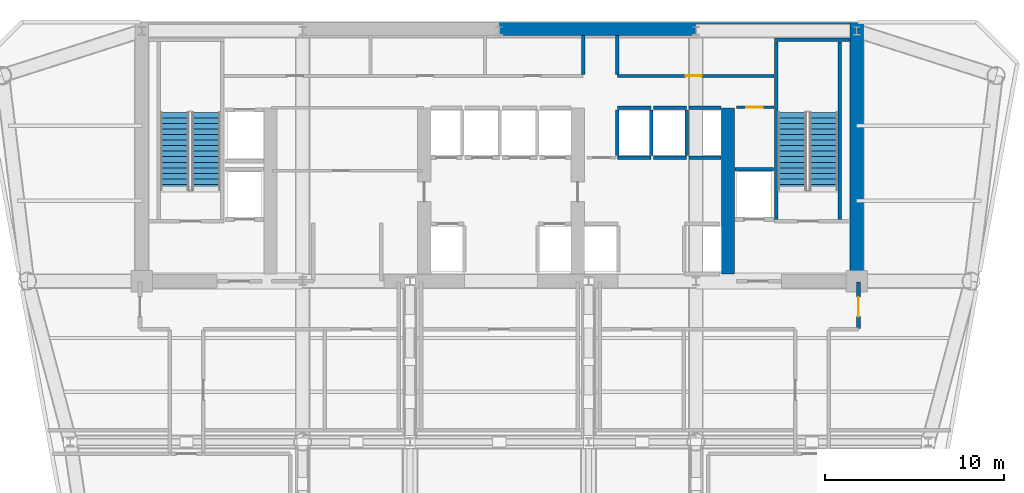
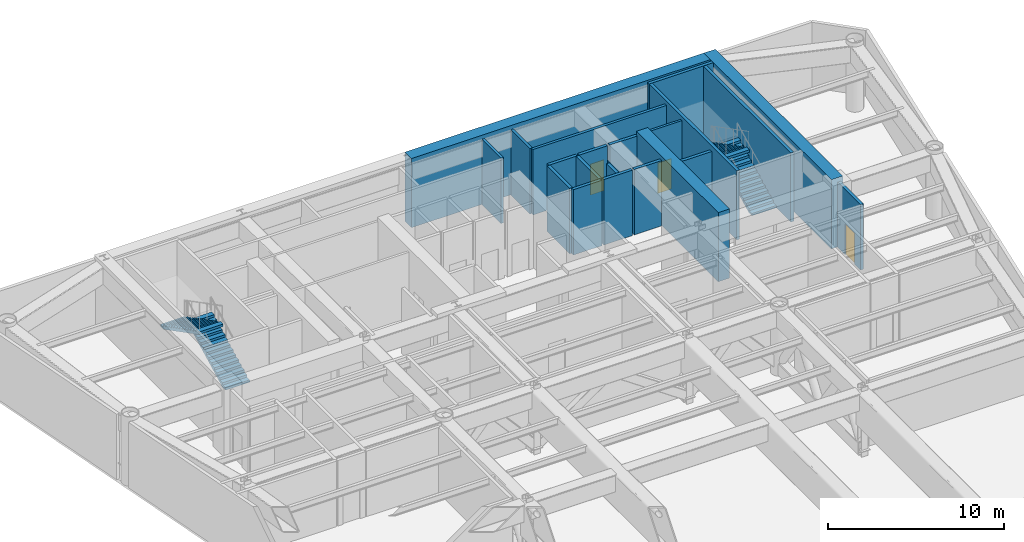
# One storey, part 6 of 10: 21 walls, 4 stair flights, 3 doors, 3 openings, 2 elements without a shape of their own.
"""IFC4 building model written with IfcOpenShell, lengths in metres."""

from ifc_helpers import new_model, si_unit, direction, frame, frame_2d, origin, place, context, subcontext, project, spatial, polyline, rectangle, outline, extrude, source, transform, mapped, material, layer, layer_set, type_object, element, fill, aggregate, save


model = new_model("IFC4")

# Units and contexts
model_context = context("Model", 3, precision=1e-05, world=origin(), true_north=direction((0.0, 1.0)))
body_context = subcontext(model_context, "Body", "Model", "MODEL_VIEW")
ifc_project = project(units=[si_unit("LENGTHUNIT", "METRE"), si_unit("AREAUNIT", "SQUARE_METRE"), si_unit("VOLUMEUNIT", "CUBIC_METRE"), si_unit("PLANEANGLEUNIT", "RADIAN"), si_unit("MASSUNIT", "GRAM", prefix="KILO")], contexts=[model_context])

# Site, building, storey
site_placement = place(None, origin())
site = spatial("IfcSite", under=ifc_project, at=site_placement, CompositionType="ELEMENT")
building_placement = place(site_placement, origin())
building = spatial("IfcBuilding", under=site, at=building_placement, Name="Vaeldorn Concourse Tower", CompositionType="ELEMENT")
storey_placement = place(building_placement, frame((0.0, 0.0, 149.0)))
storey = spatial("IfcBuildingStorey", under=building, at=storey_placement, Name="L38", CompositionType="ELEMENT", Elevation=149.0)

# Walls
ifc_material_1 = material(Name="Concrete C60/75", Category="concrete")
ifc_layer_1 = layer(ifc_material_1, 0.75)
ifc_layer_set_1 = layer_set([ifc_layer_1], Name="Concrete C60/75")
wall_type_1 = type_object("IfcWallType", Name="WL-CORE-750", PredefinedType="SHEAR", material=ifc_layer_set_1)
wall_1_placement = place(storey_placement, frame((34.001953125, 50.625, 0.0), z_axis=(0.0, 0.0, 1.0), x_axis=(1.0, 0.0, 0.0)))
element("IfcWall", 1, at=wall_1_placement, inside=storey, type_object=wall_type_1, Name="Rear Core Shear Wall L38 N2", PredefinedType="SHEAR", context=body_context, shape_type="SweptSolid", body=[
    extrude(rectangle(XDim=19.619140625, YDim=0.75, at=frame_2d((9.8095703125, 0.0))), origin(), (0.0, 0.0, 1.0), 4.800048828125),
])
wall_2_placement = place(storey_placement, frame((54.0, 36.5, 0.0), z_axis=(0.0, 0.0, 1.0), x_axis=(0.0, 1.0, 0.0)))
element("IfcWall", 2, at=wall_2_placement, inside=storey, type_object=wall_type_1, Name="Rear Core Shear Wall L38 E1", PredefinedType="SHEAR", context=body_context, shape_type="SweptSolid", body=[
    extrude(rectangle(XDim=14.5, YDim=0.75, at=frame_2d((7.25, 0.0))), origin(), (0.0, 0.0, 1.0), 4.800048828125),
])
wall_3_placement = place(storey_placement, frame((46.800048828125, 36.89501953125, 0.0), z_axis=(0.0, 0.0, 1.0), x_axis=(0.0, 1.0, 0.0)))
element("IfcWall", 3, at=wall_3_placement, inside=storey, type_object=wall_type_1, Name="Rear Core Shear Wall L38 M4", PredefinedType="SHEAR", context=body_context, shape_type="SweptSolid", body=[
    extrude(rectangle(XDim=9.304931640625, YDim=0.75, at=frame_2d((4.65234375, 0.0))), origin(), (0.0, 0.0, 1.0), 4.800048828125),
])

# Wall, opening, door
ifc_material_2 = material(Name="Gypsum Board Partition", Category="gypsum")
ifc_layer_2 = layer(ifc_material_2, 0.14990234375)
ifc_layer_set_2 = layer_set([ifc_layer_2], Name="Gypsum Board Partition")
wall_type_2 = type_object("IfcWallType", Name="WL-PART-150", PredefinedType="PARTITIONING", material=ifc_layer_set_2)
wall_4_placement = place(storey_placement, frame((47.280029296875, 46.219970703125, 0.0), z_axis=(0.0, 0.0, 1.0), x_axis=(1.0, 0.0, 0.0)))
wall_4 = element("IfcWall", 4, at=wall_4_placement, inside=storey, type_object=wall_type_2, Name="Interior Wall CW-L38-CRSE-N", PredefinedType="PARTITIONING", context=body_context, shape_type="SweptSolid", body=[
    extrude(rectangle(XDim=2.099853515625, YDim=0.14990234375, at=frame_2d((1.0498046875, 0.0))), origin(), (0.0, 0.0, 1.0), 4.5400390625),
])
opening_1_placement = place(wall_4_placement, frame((0.550048828125, 0.0, 0.0)))
opening_1 = element("IfcOpeningElement", 5, at=opening_1_placement, cuts=wall_4, Name="Opening D-02", PredefinedType="OPENING", context=body_context, shape_type="SweptSolid", body=[
    extrude(rectangle(XDim=0.89990234375, YDim=2.10009765625, at=frame_2d((0.449951171875, 1.050048828125))), frame((0.0, 0.0849609375, 0.0), z_axis=(0.0, -1.0, 0.0), x_axis=(1.0, 0.0, 0.0)), (0.0, 0.0, 1.0), 0.169921875),
])
ifc_material_3 = material(Name="Fire-Rated Timber Leaf", Category="wood")
door_type_1 = type_object("IfcDoorType", Name="DR-FD30-900", OperationType="NOTDEFINED", PredefinedType="DOOR", material=ifc_material_3)
shared_shape_1 = source(origin(), body_context, "Body", "SweptSolid", [
    extrude(rectangle(XDim=0.89990234375, YDim=2.10009765625, at=frame_2d((0.449951171875, 1.050048828125))), frame((0.0, 0.02490234375, 0.0), z_axis=(0.0, -1.0, 0.0), x_axis=(1.0, 0.0, 0.0)), (0.0, 0.0, 1.0), 0.050048828125),
])
door_1_placement = place(opening_1_placement, origin())
door_1 = element("IfcDoor", 6, at=door_1_placement, inside=storey, type_object=door_type_1, Name="Interior Door DR-L38-CRSE", OperationType="SINGLE_SWING_RIGHT", OverallHeight=2.10009765625, OverallWidth=0.89990234375, PredefinedType="DOOR", context=body_context, shape_type="MappedRepresentation", body=[
    mapped(shared_shape_1, transform((0.0, 0.0, 0.0), scale=1.0)),
])
fill(opening_1, door_1)

ifc_layer_3 = layer(ifc_material_2, 0.179931640625)
ifc_layer_set_3 = layer_set([ifc_layer_3], Name="Gypsum Board Partition")
wall_type_3 = type_object("IfcWallType", Name="WL-PLUMB-180", PredefinedType="PLUMBINGWALL", material=ifc_layer_set_3)
wall_5_placement = place(storey_placement, frame((40.6201171875, 47.97998046875, 0.0), z_axis=(0.0, 0.0, 1.0), x_axis=(1.0, 0.0, 0.0)))
wall_5 = element("IfcWall", 7, at=wall_5_placement, inside=storey, type_object=wall_type_3, Name="Interior Wall CW-L38-NS1E", PredefinedType="PLUMBINGWALL", context=body_context, shape_type="SweptSolid", body=[
    extrude(rectangle(XDim=8.759765625, YDim=0.179931640625, at=frame_2d((4.3798828125, 0.0))), origin(), (0.0, 0.0, 1.0), 4.5400390625),
])
opening_2_placement = place(wall_5_placement, frame((3.800048828125, 0.0, 0.0)))
opening_2 = element("IfcOpeningElement", 8, at=opening_2_placement, cuts=wall_5, Name="Opening D-03", PredefinedType="OPENING", context=body_context, shape_type="SweptSolid", body=[
    extrude(rectangle(XDim=0.89990234375, YDim=2.14990234375, at=frame_2d((0.449951171875, 1.074951171875))), frame((0.0, 0.10009765625, 0.0), z_axis=(0.0, -1.0, 0.0), x_axis=(1.0, 0.0, 0.0)), (0.0, 0.0, 1.0), 0.199951171875),
])
ifc_material_4 = material(Name="Acoustic Bronze-Framed Glass Door", Category="glass")
door_type_2 = type_object("IfcDoorType", Name="DR-INT-900", OperationType="NOTDEFINED", PredefinedType="DOOR", material=ifc_material_4)
shared_shape_2 = source(origin(), body_context, "Body", "SweptSolid", [
    extrude(rectangle(XDim=0.89990234375, YDim=2.14990234375, at=frame_2d((0.449951171875, 1.074951171875))), frame((0.0, 0.02490234375, 0.0), z_axis=(0.0, -1.0, 0.0), x_axis=(1.0, 0.0, 0.0)), (0.0, 0.0, 1.0), 0.050048828125),
])
door_2_placement = place(opening_2_placement, origin())
door_2 = element("IfcDoor", 9, at=door_2_placement, inside=storey, type_object=door_type_2, Name="Interior Door DR-L38-CS4", OperationType="SINGLE_SWING_RIGHT", OverallHeight=2.14990234375, OverallWidth=0.89990234375, PredefinedType="DOOR", context=body_context, shape_type="MappedRepresentation", body=[
    mapped(shared_shape_2, transform((0.0, 0.0, 0.0), scale=1.0)),
])
fill(opening_2, door_2)

# Walls
for number, where, z_axis, x_axis, name in (
    (10, (38.699951171875, 48.06005859375, 0.0), (0.0, 0.0, 1.0), (0.0, 1.0, 0.0), "Interior Wall CW-L38-NDIV3"),
    (11, (40.60009765625, 48.06005859375, 0.0), (0.0, 0.0, 1.0), (0.0, 1.0, 0.0), "Interior Wall CW-L38-NDIV4"),
):
    element("IfcWall", number, at=place(storey_placement, frame(where, z_axis=z_axis, x_axis=x_axis)), inside=storey, type_object=wall_type_3, Name=name, PredefinedType="PLUMBINGWALL", context=body_context, shape_type="SweptSolid", body=[
        extrude(rectangle(XDim=2.169921875, YDim=0.179931640625, at=frame_2d((1.0849609375, 0.0))), origin(), (0.0, 0.0, 1.0), 4.5400390625),
    ])
ifc_material_5 = material(Name="Concrete C50/60", Category="concrete")
ifc_layer_4 = layer(ifc_material_5, 0.199951171875)
ifc_layer_set_4 = layer_set([ifc_layer_4], Name="Concrete C50/60")
wall_type_4 = type_object("IfcWallType", Name="WL-SHAFT-200", PredefinedType="SOLIDWALL", material=ifc_layer_set_4)
wall_6_placement = place(storey_placement, frame((49.39990234375, 50.0, 0.0), z_axis=(0.0, 0.0, 1.0), x_axis=(1.0, 0.0, 0.0)))
element("IfcWall", 12, at=wall_6_placement, inside=storey, type_object=wall_type_4, Name="Stair Shaft Wall CW-L38-ST-2-N", PredefinedType="SOLIDWALL", context=body_context, shape_type="SweptSolid", body=[
    extrude(rectangle(XDim=4.22509765625, YDim=0.199951171875, at=frame_2d((2.112548828125, 0.0))), origin(), (0.0, 0.0, 1.0), 4.800048828125),
])
for number, where, z_axis, x_axis, name in (
    (13, (49.5, 39.9599609375, 0.0), (0.0, 0.0, 1.0), (0.0, 1.0, 0.0), "Stair Shaft Wall CW-L38-ST-2-W"),
    (14, (53.050048828125, 39.9599609375, 0.0), (0.0, 0.0, 1.0), (0.0, 1.0, 0.0), "Stair Shaft Wall CW-L38-ST-2-E"),
):
    element("IfcWall", number, at=place(storey_placement, frame(where, z_axis=z_axis, x_axis=x_axis)), inside=storey, type_object=wall_type_4, Name=name, PredefinedType="SOLIDWALL", context=body_context, shape_type="SweptSolid", body=[
        extrude(rectangle(XDim=9.929931640625, YDim=0.199951171875, at=frame_2d((4.96484375, 0.0))), origin(), (0.0, 0.0, 1.0), 4.800048828125),
    ])
for number, where, z_axis, x_axis, name in (
    (15, (40.6201171875, 43.39990234375, 0.0), (0.0, 0.0, 1.0), (1.0, 0.0, 0.0), "Interior Wall CW-L38-LF-LF-15"),
    (16, (40.6201171875, 46.199951171875, 0.0), (0.0, 0.0, 1.0), (1.0, 0.0, 0.0), "Interior Wall CW-L38-LFB-LF-15"),
):
    element("IfcWall", number, at=place(storey_placement, frame(where, z_axis=z_axis, x_axis=x_axis)), inside=storey, type_object=wall_type_4, Name=name, PredefinedType="SOLIDWALL", context=body_context, shape_type="SweptSolid", body=[
        extrude(rectangle(XDim=1.85986328125, YDim=0.199951171875, at=frame_2d((0.929931640625, 0.0))), origin(), (0.0, 0.0, 1.0), 4.5400390625),
    ])
for number, where, z_axis, x_axis, name in (
    (17, (40.60009765625, 43.52001953125, 0.0), (0.0, 0.0, 1.0), (0.0, 1.0, 0.0), "Interior Wall CW-L38-LFW-LF-15"),
    (18, (42.5, 43.52001953125, 0.0), (0.0, 0.0, 1.0), (0.0, 1.0, 0.0), "Interior Wall CW-L38-LFE-LF-15"),
):
    element("IfcWall", number, at=place(storey_placement, frame(where, z_axis=z_axis, x_axis=x_axis)), inside=storey, type_object=wall_type_4, Name=name, PredefinedType="SOLIDWALL", context=body_context, shape_type="SweptSolid", body=[
        extrude(rectangle(XDim=2.56005859375, YDim=0.199951171875, at=frame_2d((1.280029296875, 0.0))), origin(), (0.0, 0.0, 1.0), 4.5400390625),
    ])
for number, where, z_axis, x_axis, name in (
    (19, (42.6201171875, 43.39990234375, 0.0), (0.0, 0.0, 1.0), (1.0, 0.0, 0.0), "Interior Wall CW-L38-LF-LF-16"),
    (20, (42.6201171875, 46.199951171875, 0.0), (0.0, 0.0, 1.0), (1.0, 0.0, 0.0), "Interior Wall CW-L38-LFB-LF-16"),
):
    element("IfcWall", number, at=place(storey_placement, frame(where, z_axis=z_axis, x_axis=x_axis)), inside=storey, type_object=wall_type_4, Name=name, PredefinedType="SOLIDWALL", context=body_context, shape_type="SweptSolid", body=[
        extrude(rectangle(XDim=1.85986328125, YDim=0.199951171875, at=frame_2d((0.929931640625, 0.0))), origin(), (0.0, 0.0, 1.0), 4.5400390625),
    ])
wall_7_placement = place(storey_placement, frame((44.5, 43.52001953125, 0.0), z_axis=(0.0, 0.0, 1.0), x_axis=(0.0, 1.0, 0.0)))
element("IfcWall", 21, at=wall_7_placement, inside=storey, type_object=wall_type_4, Name="Interior Wall CW-L38-LFE-LF-16", PredefinedType="SOLIDWALL", context=body_context, shape_type="SweptSolid", body=[
    extrude(rectangle(XDim=2.56005859375, YDim=0.199951171875, at=frame_2d((1.280029296875, 0.0))), origin(), (0.0, 0.0, 1.0), 3.330078125),
])
for number, where, z_axis, x_axis, name in (
    (22, (44.6201171875, 43.39990234375, 0.0), (0.0, 0.0, 1.0), (1.0, 0.0, 0.0), "Interior Wall CW-L38-LF-LF-17"),
    (23, (44.6201171875, 46.199951171875, 0.0), (0.0, 0.0, 1.0), (1.0, 0.0, 0.0), "Interior Wall CW-L38-LFB-LF-17"),
):
    element("IfcWall", number, at=place(storey_placement, frame(where, z_axis=z_axis, x_axis=x_axis)), inside=storey, type_object=wall_type_4, Name=name, PredefinedType="SOLIDWALL", context=body_context, shape_type="SweptSolid", body=[
        extrude(rectangle(XDim=1.794921875, YDim=0.199951171875, at=frame_2d((0.8974609375, 0.0))), origin(), (0.0, 0.0, 1.0), 4.5400390625),
    ])
wall_8_placement = place(storey_placement, frame((47.18505859375, 42.75, 0.0), z_axis=(0.0, 0.0, 1.0), x_axis=(1.0, 0.0, 0.0)))
element("IfcWall", 24, at=wall_8_placement, inside=storey, type_object=wall_type_4, Name="Interior Wall CW-L38-LFB-LF-FF2", PredefinedType="SOLIDWALL", context=body_context, shape_type="SweptSolid", body=[
    extrude(rectangle(XDim=2.14501953125, YDim=0.199951171875, at=frame_2d((1.072509765625, 0.0))), origin(), (0.0, 0.0, 1.0), 4.5400390625),
])

# Wall, opening, door
wall_9_placement = place(storey_placement, frame((54.10009765625, 33.860107421875, 0.0), z_axis=(0.0, 0.0, 1.0), x_axis=(0.0, 1.0, 0.0)))
wall_9 = element("IfcWall", 25, at=wall_9_placement, inside=storey, type_object=wall_type_4, Name="Interior Wall PW-L38-RNE", PredefinedType="SOLIDWALL", context=body_context, shape_type="SweptSolid", body=[
    extrude(rectangle(XDim=2.579833984375, YDim=0.199951171875, at=frame_2d((1.2900390625, 0.0))), origin(), (0.0, 0.0, 1.0), 4.5400390625),
])
opening_3_placement = place(wall_9_placement, frame((0.64990234375, 0.0, 0.0)))
opening_3 = element("IfcOpeningElement", 26, at=opening_3_placement, cuts=wall_9, Name="Opening D-01", PredefinedType="OPENING", context=body_context, shape_type="SweptSolid", body=[
    extrude(rectangle(XDim=1.10009765625, YDim=2.14990234375, at=frame_2d((0.550048828125, 1.074951171875))), frame((0.0, 0.10986328125, 0.0), z_axis=(0.0, -1.0, 0.0), x_axis=(1.0, 0.0, 0.0)), (0.0, 0.0, 1.0), 0.219970703125),
])
ifc_material_6 = material(Name="Fire-Rated Timber and Steel Leaf", Category="steel")
door_type_3 = type_object("IfcDoorType", Name="DR-FD60-1100", OperationType="NOTDEFINED", PredefinedType="DOOR", material=ifc_material_6)
shared_shape_3 = source(origin(), body_context, "Body", "SweptSolid", [
    extrude(rectangle(XDim=1.10009765625, YDim=2.14990234375, at=frame_2d((0.550048828125, 1.074951171875))), frame((0.0, 0.02490234375, 0.0), z_axis=(0.0, -1.0, 0.0), x_axis=(1.0, 0.0, 0.0)), (0.0, 0.0, 1.0), 0.050048828125),
])
door_3_placement = place(opening_3_placement, origin())
door_3 = element("IfcDoor", 27, at=door_3_placement, inside=storey, type_object=door_type_3, Name="Interior Door DR-L38-REF2", OperationType="SINGLE_SWING_RIGHT", OverallHeight=2.14990234375, OverallWidth=1.10009765625, PredefinedType="DOOR", context=body_context, shape_type="MappedRepresentation", body=[
    mapped(shared_shape_3, transform((0.0, 0.0, 0.0), scale=1.0)),
])
fill(opening_3, door_3)

# Stair, stair flights
ifc_material_7 = material(Name="Precast concrete C40/50", Category="concrete")
stair_type = type_object("IfcStairType", Name="STR-DOG-30x160", PredefinedType="HALF_TURN_STAIR", material=ifc_material_7)
stair_1_placement = place(storey_placement, origin())
stair_1 = element("IfcStair", 28, at=stair_1_placement, inside=storey, type_object=stair_type, Name="L38 West Core Exit Stair ST-1", PredefinedType="HALF_TURN_STAIR")
stair_flight_type = type_object("IfcStairFlightType", Name="STF-STR-15x160", PredefinedType="STRAIGHT", material=ifc_material_7)
stair_flight_1_placement = place(storey_placement, frame((17.60009765625, 41.60009765625, 0.0), z_axis=(0.0, 0.0, 1.0), x_axis=(0.0, 1.0, 0.0)))
stair_flight_1 = element("IfcStairFlight", 29, at=stair_flight_1_placement, type_object=stair_flight_type, Name="ST-1 flight 1", NumberOfRisers=15, NumberOfTreads=14, PredefinedType="STRAIGHT", RiserHeight=0.16, TreadLength=0.31, context=body_context, shape_type="SweptSolid", body=[
    extrude(outline(polyline([(0.0, 0.0), (0.0, 0.159912109375), (0.31005859375, 0.159912109375), (0.31005859375, 0.320068359375), (0.6201171875, 0.320068359375), (0.6201171875, 0.47998046875), (0.929931640625, 0.47998046875), (0.929931640625, 0.639892578125), (1.239990234375, 0.639892578125), (1.239990234375, 0.800048828125), (1.550048828125, 0.800048828125), (1.550048828125, 0.9599609375), (1.860107421875, 0.9599609375), (1.860107421875, 1.1201171875), (2.169921875, 1.1201171875), (2.169921875, 1.280029296875), (2.47998046875, 1.280029296875), (2.47998046875, 1.43994140625), (2.7900390625, 1.43994140625), (2.7900390625, 1.60009765625), (3.10009765625, 1.60009765625), (3.10009765625, 1.760009765625), (3.409912109375, 1.760009765625), (3.409912109375, 1.919921875), (3.719970703125, 1.919921875), (3.719970703125, 2.080078125), (4.030029296875, 2.080078125), (4.030029296875, 2.239990234375), (4.340087890625, 2.239990234375), (4.340087890625, 2.39990234375), (4.340087890625, 2.0712890625), (0.326904296875, 0.0), (0.0, 0.0)])), frame((0.0, 0.800048828125, 0.0), z_axis=(0.0, -1.0, 0.0), x_axis=(1.0, 0.0, 0.0)), (0.0, 0.0, 1.0), 1.60009765625),
])
stair_flight_2_placement = place(storey_placement, frame((15.85009765625, 45.93994140625, 2.39990234375), z_axis=(0.0, 0.0, 1.0), x_axis=(0.0, -1.0, 0.0)))
stair_flight_2 = element("IfcStairFlight", 30, at=stair_flight_2_placement, type_object=stair_flight_type, Name="ST-1 flight 2", NumberOfRisers=15, NumberOfTreads=14, PredefinedType="STRAIGHT", RiserHeight=0.16, TreadLength=0.31, context=body_context, shape_type="SweptSolid", body=[
    extrude(outline(polyline([(0.0, 0.0), (0.0, 0.159912109375), (0.31005859375, 0.159912109375), (0.31005859375, 0.320068359375), (0.6201171875, 0.320068359375), (0.6201171875, 0.47998046875), (0.929931640625, 0.47998046875), (0.929931640625, 0.639892578125), (1.239990234375, 0.639892578125), (1.239990234375, 0.800048828125), (1.550048828125, 0.800048828125), (1.550048828125, 0.9599609375), (1.860107421875, 0.9599609375), (1.860107421875, 1.1201171875), (2.169921875, 1.1201171875), (2.169921875, 1.280029296875), (2.47998046875, 1.280029296875), (2.47998046875, 1.43994140625), (2.7900390625, 1.43994140625), (2.7900390625, 1.60009765625), (3.10009765625, 1.60009765625), (3.10009765625, 1.760009765625), (3.409912109375, 1.760009765625), (3.409912109375, 1.919921875), (3.719970703125, 1.919921875), (3.719970703125, 2.080078125), (4.030029296875, 2.080078125), (4.030029296875, 2.239990234375), (4.340087890625, 2.239990234375), (4.340087890625, 2.39990234375), (4.340087890625, 2.0712890625), (0.326904296875, 0.0), (0.0, 0.0)])), frame((0.0, 0.800048828125, 0.0), z_axis=(0.0, -1.0, 0.0), x_axis=(1.0, 0.0, 0.0)), (0.0, 0.0, 1.0), 1.60009765625),
])
aggregate(stair_1, [stair_flight_1, stair_flight_2])

stair_2_placement = place(storey_placement, origin())
stair_2 = element("IfcStair", 31, at=stair_2_placement, inside=storey, type_object=stair_type, Name="L38 East Core Exit Stair ST-2", PredefinedType="HALF_TURN_STAIR")
stair_flight_3_placement = place(storey_placement, frame((52.14990234375, 41.60009765625, 0.0), z_axis=(0.0, 0.0, 1.0), x_axis=(0.0, 1.0, 0.0)))
stair_flight_3 = element("IfcStairFlight", 32, at=stair_flight_3_placement, type_object=stair_flight_type, Name="ST-2 flight 1", NumberOfRisers=15, NumberOfTreads=14, PredefinedType="STRAIGHT", RiserHeight=0.16, TreadLength=0.31, context=body_context, shape_type="SweptSolid", body=[
    extrude(outline(polyline([(0.0, 0.0), (0.0, 0.159912109375), (0.31005859375, 0.159912109375), (0.31005859375, 0.320068359375), (0.6201171875, 0.320068359375), (0.6201171875, 0.47998046875), (0.929931640625, 0.47998046875), (0.929931640625, 0.639892578125), (1.239990234375, 0.639892578125), (1.239990234375, 0.800048828125), (1.550048828125, 0.800048828125), (1.550048828125, 0.9599609375), (1.860107421875, 0.9599609375), (1.860107421875, 1.1201171875), (2.169921875, 1.1201171875), (2.169921875, 1.280029296875), (2.47998046875, 1.280029296875), (2.47998046875, 1.43994140625), (2.7900390625, 1.43994140625), (2.7900390625, 1.60009765625), (3.10009765625, 1.60009765625), (3.10009765625, 1.760009765625), (3.409912109375, 1.760009765625), (3.409912109375, 1.919921875), (3.719970703125, 1.919921875), (3.719970703125, 2.080078125), (4.030029296875, 2.080078125), (4.030029296875, 2.239990234375), (4.340087890625, 2.239990234375), (4.340087890625, 2.39990234375), (4.340087890625, 2.0712890625), (0.326904296875, 0.0), (0.0, 0.0)])), frame((0.0, 0.800048828125, 0.0), z_axis=(0.0, -1.0, 0.0), x_axis=(1.0, 0.0, 0.0)), (0.0, 0.0, 1.0), 1.60009765625),
])
stair_flight_4_placement = place(storey_placement, frame((50.39990234375, 45.93994140625, 2.39990234375), z_axis=(0.0, 0.0, 1.0), x_axis=(0.0, -1.0, 0.0)))
stair_flight_4 = element("IfcStairFlight", 33, at=stair_flight_4_placement, type_object=stair_flight_type, Name="ST-2 flight 2", NumberOfRisers=15, NumberOfTreads=14, PredefinedType="STRAIGHT", RiserHeight=0.16, TreadLength=0.31, context=body_context, shape_type="SweptSolid", body=[
    extrude(outline(polyline([(0.0, 0.0), (0.0, 0.159912109375), (0.31005859375, 0.159912109375), (0.31005859375, 0.320068359375), (0.6201171875, 0.320068359375), (0.6201171875, 0.47998046875), (0.929931640625, 0.47998046875), (0.929931640625, 0.639892578125), (1.239990234375, 0.639892578125), (1.239990234375, 0.800048828125), (1.550048828125, 0.800048828125), (1.550048828125, 0.9599609375), (1.860107421875, 0.9599609375), (1.860107421875, 1.1201171875), (2.169921875, 1.1201171875), (2.169921875, 1.280029296875), (2.47998046875, 1.280029296875), (2.47998046875, 1.43994140625), (2.7900390625, 1.43994140625), (2.7900390625, 1.60009765625), (3.10009765625, 1.60009765625), (3.10009765625, 1.760009765625), (3.409912109375, 1.760009765625), (3.409912109375, 1.919921875), (3.719970703125, 1.919921875), (3.719970703125, 2.080078125), (4.030029296875, 2.080078125), (4.030029296875, 2.239990234375), (4.340087890625, 2.239990234375), (4.340087890625, 2.39990234375), (4.340087890625, 2.0712890625), (0.326904296875, 0.0), (0.0, 0.0)])), frame((0.0, 0.800048828125, 0.0), z_axis=(0.0, -1.0, 0.0), x_axis=(1.0, 0.0, 0.0)), (0.0, 0.0, 1.0), 1.60009765625),
])
aggregate(stair_2, [stair_flight_3, stair_flight_4])

save(model, "model.ifc")
